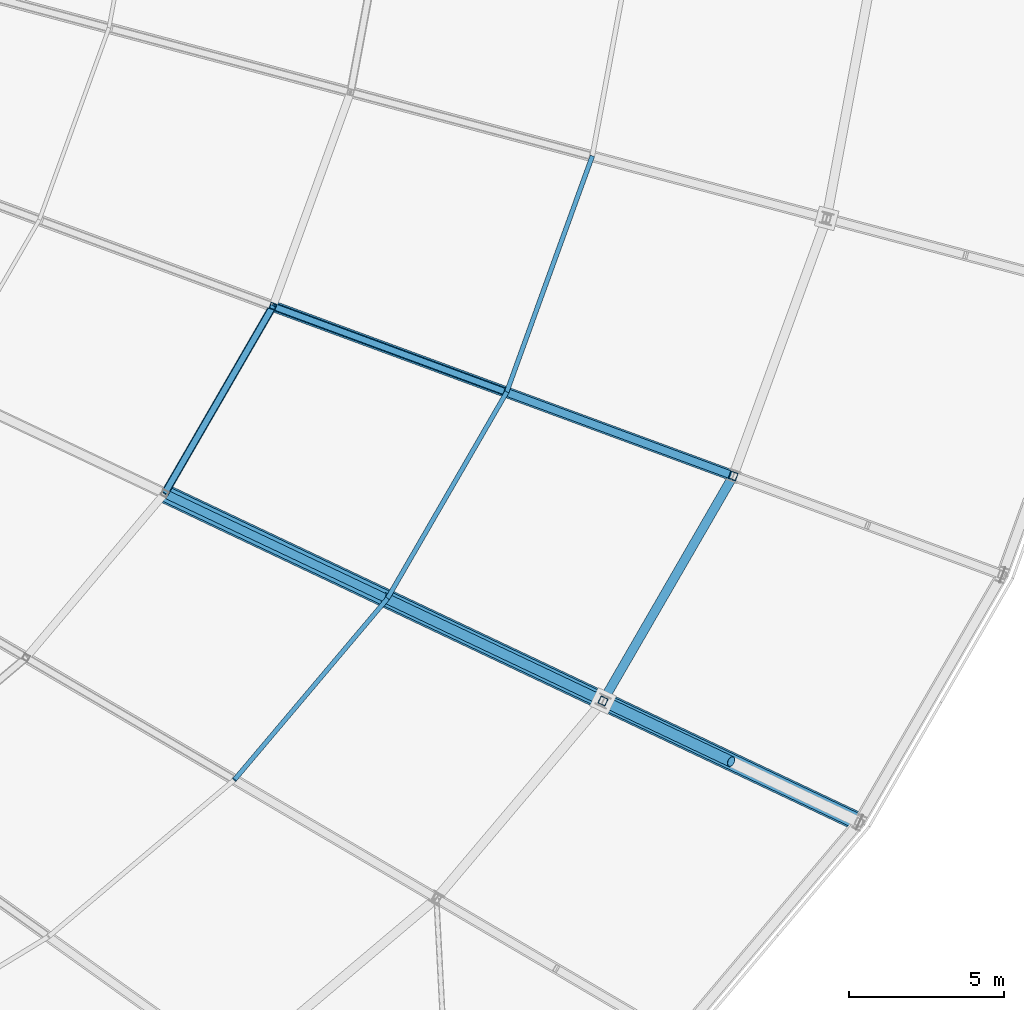
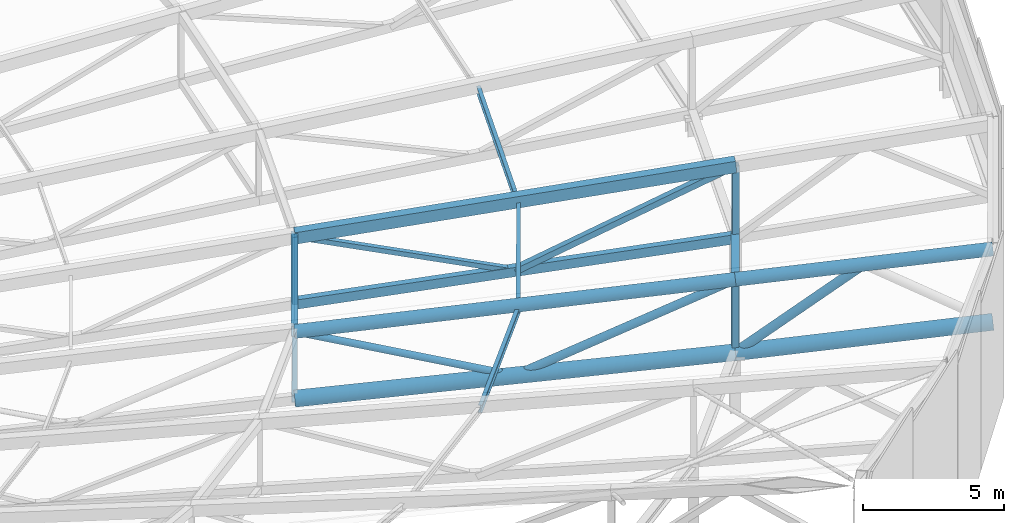
# One storey, part 66 of 143: 12 members, 8 beams.
"""IFC4 building model written with IfcOpenShell, lengths in metres."""

from ifc_helpers import new_model, si_unit, direction, frame, origin, origin_2d, place, context, subcontext, project, spatial, hollow_rectangle, hollow_circle, i_section, extrude, material, material_profile, profile_set, type_object, element, save


model = new_model("IFC4")

# Units and contexts
model_context = context("Model", 3, precision=1e-05, world=origin(), true_north=direction((0.0, 1.0)))
body_context = subcontext(model_context, "Body", "Model", "MODEL_VIEW")
ifc_project = project(units=[si_unit("LENGTHUNIT", "METRE"), si_unit("AREAUNIT", "SQUARE_METRE"), si_unit("VOLUMEUNIT", "CUBIC_METRE"), si_unit("PLANEANGLEUNIT", "RADIAN"), si_unit("MASSUNIT", "GRAM", prefix="KILO")], contexts=[model_context])

# Site, building, storey
site_placement = place(None, origin())
site = spatial("IfcSite", under=ifc_project, at=site_placement, CompositionType="ELEMENT")
building_placement = place(site_placement, origin())
building = spatial("IfcBuilding", under=site, at=building_placement, Name="Mphavela Belvedere Stadium", CompositionType="ELEMENT")
storey_placement = place(building_placement, frame((0.0, 0.0, 28.800048828125)))
storey = spatial("IfcBuildingStorey", under=building, at=storey_placement, Name="RF", CompositionType="ELEMENT", Elevation=28.800048828125)

# Beams
ifc_material_1 = material(Name="Steel S355", Category="steel")
ifc_material_profile_1 = material_profile(ifc_material_1, hollow_rectangle(XDim=0.25, YDim=0.39990234375, WallThickness=0.01611328125, at=origin_2d()), Name="RHS 400x250x16")
ifc_profile_set_1 = profile_set([ifc_material_profile_1], Name="Steel S355")
beam_type_1 = type_object("IfcBeamType", Name="BM-RING-MID", PredefinedType="BEAM", material=ifc_profile_set_1)
beam_1_placement = place(storey_placement, frame((184.83447265625, 53.945068359375, 4.30712890625), z_axis=(0.497680338118, 0.860704872165, -0.107244599316), x_axis=(-0.865697638818, 0.500567276343, 0.0)))
element("IfcBeam", 1, at=beam_1_placement, inside=storey, type_object=beam_type_1, Name="Intermediate roof ring beam RB-MID-45", PredefinedType="BEAM", context=body_context, shape_type="SweptSolid", body=[
    extrude(hollow_rectangle(XDim=0.25, YDim=0.39990234375, WallThickness=0.01611328125, at=origin_2d()), origin(), (0.0, 0.0, 1.0), 7.018310546875),
])
ifc_material_2 = material(Name="Steel S355", Category="steel")
ifc_material_profile_2 = material_profile(ifc_material_2, i_section(OverallWidth=0.300048828125, OverallDepth=0.39990234375, WebThickness=0.013427734375, FlangeThickness=0.02392578125, at=origin_2d()), Name="HEB 400")
ifc_profile_set_2 = profile_set([ifc_material_profile_2], Name="Steel S355")
beam_type_2 = type_object("IfcBeamType", Name="BM-STEEL-HEB400", PredefinedType="BEAM", material=ifc_profile_set_2)
beam_2_placement = place(storey_placement, frame((198.9755859375, 47.251708984375, 2.516357421875), z_axis=(0.497661073129, 0.860716730152, -0.107238830325), x_axis=(-0.865709023765, 0.500547586322, 0.0)))
element("IfcBeam", 2, at=beam_2_placement, inside=storey, type_object=beam_type_2, Name="Roof bottom-chord tie girder R3-45", PredefinedType="BEAM", context=body_context, shape_type="SweptSolid", body=[
    extrude(i_section(OverallWidth=0.300048828125, OverallDepth=0.39990234375, WebThickness=0.013427734375, FlangeThickness=0.02392578125, at=origin_2d()), origin(), (0.0, 0.0, 1.0), 8.439453125),
])
ifc_material_3 = material(Name="Steel S355", Category="steel")
ifc_material_profile_3 = material_profile(ifc_material_3, hollow_circle(Radius=0.304931640625, WallThickness=0.02490234375, at=origin_2d()), Name="CHS 610x25")
ifc_profile_set_3 = profile_set([ifc_material_profile_3], Name="Steel S355")
beam_type_3 = type_object("IfcBeamType", Name="BM-TRUSS-BC1", PredefinedType="BEAM", material=ifc_profile_set_3)
beam_3_placement = place(storey_placement, frame((207.242431640625, 43.33837890625, 3.31103515625), z_axis=(-0.900453046882, 0.426253267431, -0.086559010886), x_axis=(-0.427859140325, -0.903845427073, 0.0)))
element("IfcBeam", 3, at=beam_3_placement, inside=storey, type_object=beam_type_3, Name="Radial roof truss RT-45 bottom chord 1", PredefinedType="BEAM", context=body_context, shape_type="SweptSolid", body=[
    extrude(hollow_circle(Radius=0.304931640625, WallThickness=0.02490234375, at=origin_2d()), origin(), (0.0, 0.0, 1.0), 9.1806640625),
])
beam_4_placement = place(storey_placement, frame((198.9755859375, 47.251708984375, 2.516357421875), z_axis=(-0.901600208715, 0.426750998276, -0.070715267915), x_axis=(-0.427822032856, -0.903862991942, 0.0)))
element("IfcBeam", 4, at=beam_4_placement, inside=storey, type_object=beam_type_3, Name="Radial roof truss RT-45 bottom chord 2", PredefinedType="BEAM", context=body_context, shape_type="SweptSolid", body=[
    extrude(hollow_circle(Radius=0.304931640625, WallThickness=0.02490234375, at=origin_2d()), origin(), (0.0, 0.0, 1.0), 15.6845703125),
])
ifc_material_4 = material(Name="Steel S355", Category="steel")
ifc_material_profile_4 = material_profile(ifc_material_4, hollow_rectangle(XDim=0.25, YDim=0.39990234375, WallThickness=0.01611328125, at=origin_2d()), Name="RHS 400x250x16")
ifc_profile_set_4 = profile_set([ifc_material_profile_4], Name="Steel S355")
beam_type_4 = type_object("IfcBeamType", Name="BM-TRUSS-BC2", PredefinedType="BEAM", material=ifc_profile_set_4)
beam_5_placement = place(storey_placement, frame((203.175537109375, 54.515625, 1.611328125), z_axis=(-0.936635644943, 0.345066563527, -0.060355077321), x_axis=(-0.345696778918, -0.938346277792, 0.0)))
element("IfcBeam", 5, at=beam_5_placement, inside=storey, type_object=beam_type_4, Name="Radial roof truss RT-46 bottom chord 2", PredefinedType="BEAM", context=body_context, shape_type="SweptSolid", body=[
    extrude(hollow_rectangle(XDim=0.25, YDim=0.39990234375, WallThickness=0.01611328125, at=origin_2d()), origin(), (0.0, 0.0, 1.0), 15.8525390625),
])
ifc_material_5 = material(Name="Steel S355", Category="steel")
ifc_material_profile_5 = material_profile(ifc_material_5, hollow_circle(Radius=0.25390625, WallThickness=0.02490234375, at=origin_2d()), Name="CHS 508x25")
ifc_profile_set_5 = profile_set([ifc_material_profile_5], Name="Steel S355")
beam_type_5 = type_object("IfcBeamType", Name="BM-TRUSS-TC1", PredefinedType="BEAM", material=ifc_profile_set_5)
beam_6_placement = place(storey_placement, frame((207.242431640625, 43.33837890625, 6.4609375), z_axis=(-0.900453046882, 0.426253267431, -0.086559010886), x_axis=(-0.427859140325, -0.903845427073, 0.0)))
element("IfcBeam", 6, at=beam_6_placement, inside=storey, type_object=beam_type_5, Name="Radial roof truss RT-45 top chord 1", PredefinedType="BEAM", context=body_context, shape_type="SweptSolid", body=[
    extrude(hollow_circle(Radius=0.25390625, WallThickness=0.02490234375, at=origin_2d()), origin(), (0.0, 0.0, 1.0), 9.1806640625),
])
beam_7_placement = place(storey_placement, frame((198.9755859375, 47.251708984375, 5.666259765625), z_axis=(-0.900471557022, 0.426216777862, -0.086546133731), x_axis=(-0.427822032856, -0.903862991942, 0.0)))
element("IfcBeam", 7, at=beam_7_placement, inside=storey, type_object=beam_type_5, Name="Radial roof truss RT-45 top chord 2", PredefinedType="BEAM", context=body_context, shape_type="SweptSolid", body=[
    extrude(hollow_circle(Radius=0.25390625, WallThickness=0.02490234375, at=origin_2d()), origin(), (0.0, 0.0, 1.0), 15.7041015625),
])
ifc_material_6 = material(Name="Steel S355", Category="steel")
ifc_material_profile_6 = material_profile(ifc_material_6, hollow_rectangle(XDim=0.35009765625, YDim=0.5, WallThickness=0.02001953125, at=origin_2d()), Name="RHS 500x350x20")
ifc_profile_set_6 = profile_set([ifc_material_profile_6], Name="Steel S355")
beam_type_6 = type_object("IfcBeamType", Name="BM-TRUSS-TC2", PredefinedType="BEAM", material=ifc_profile_set_6)
beam_8_placement = place(storey_placement, frame((203.175537109375, 54.515625, 4.76123046875), z_axis=(-0.935629294796, 0.344695813397, -0.076043533233), x_axis=(-0.345696778918, -0.938346277792, 0.0)))
element("IfcBeam", 8, at=beam_8_placement, inside=storey, type_object=beam_type_6, Name="Radial roof truss RT-46 top chord 2", PredefinedType="BEAM", context=body_context, shape_type="SweptSolid", body=[
    extrude(hollow_rectangle(XDim=0.35009765625, YDim=0.5, WallThickness=0.02001953125, at=origin_2d()), origin(), (0.0, 0.0, 1.0), 15.86962890625),
])

# Members
ifc_material_7 = material(Name="Steel S355", Category="steel")
ifc_material_profile_7 = material_profile(ifc_material_7, hollow_circle(Radius=0.136474609375, WallThickness=0.012451171875, at=origin_2d()), Name="CHS 273x12.5")
ifc_profile_set_7 = profile_set([ifc_material_profile_7], Name="Steel S355")
member_type_1 = type_object("IfcMemberType", Name="MEM-DIAG-273", PredefinedType="BRACE", material=ifc_profile_set_7)
member_1_placement = place(storey_placement, frame((191.905029296875, 50.598388671875, 1.961669921875), z_axis=(-0.86578394162, 0.40979822077, 0.287199555511), x_axis=(-0.427822032856, -0.903862991942, 0.0)))
element("IfcMember", 9, at=member_1_placement, inside=storey, type_object=member_type_1, Name="Radial roof truss RT-45 web diagonal D4", PredefinedType="BRACE", context=body_context, shape_type="SweptSolid", body=[
    extrude(hollow_circle(Radius=0.136474609375, WallThickness=0.012451171875, at=origin_2d()), origin(), (0.0, 0.0, 1.0), 8.166748046875),
])
ifc_material_8 = material(Name="Steel S355", Category="steel")
ifc_material_profile_8 = material_profile(ifc_material_8, hollow_circle(Radius=0.161865234375, WallThickness=0.01611328125, at=origin_2d()), Name="CHS 323.9x16")
ifc_profile_set_8 = profile_set([ifc_material_profile_8], Name="Steel S355")
member_type_2 = type_object("IfcMemberType", Name="MEM-DIAG-324", PredefinedType="BRACE", material=ifc_profile_set_8)
member_2_placement = place(storey_placement, frame((198.9755859375, 47.251708984375, 5.666259765625), z_axis=(-0.816889573167, 0.386655235281, -0.428006021313), x_axis=(-0.427822032856, -0.903862991942, 0.0)))
element("IfcMember", 10, at=member_2_placement, inside=storey, type_object=member_type_2, Name="Radial roof truss RT-45 web diagonal D3", PredefinedType="BRACE", context=body_context, shape_type="SweptSolid", body=[
    extrude(hollow_circle(Radius=0.161865234375, WallThickness=0.01611328125, at=origin_2d()), origin(), (0.0, 0.0, 1.0), 8.655517578125),
])
ifc_material_9 = material(Name="Steel S355", Category="steel")
ifc_material_profile_9 = material_profile(ifc_material_9, hollow_circle(Radius=0.177734375, WallThickness=0.01611328125, at=origin_2d()), Name="CHS 355.6x16")
ifc_profile_set_9 = profile_set([ifc_material_profile_9], Name="Steel S355")
member_type_3 = type_object("IfcMemberType", Name="MEM-DIAG-355", PredefinedType="BRACE", material=ifc_profile_set_9)
member_3_placement = place(storey_placement, frame((203.10888671875, 45.295166015625, 6.063720703125), z_axis=(-0.714168011472, 0.338059211101, -0.612927419178), x_axis=(-0.427847656152, -0.903850863321, 0.0)))
element("IfcMember", 11, at=member_3_placement, inside=storey, type_object=member_type_3, Name="Radial roof truss RT-45 web diagonal D2", PredefinedType="BRACE", context=body_context, shape_type="SweptSolid", body=[
    extrude(hollow_circle(Radius=0.177734375, WallThickness=0.01611328125, at=origin_2d()), origin(), (0.0, 0.0, 1.0), 5.78759765625),
])
ifc_material_10 = material(Name="Steel S355", Category="steel")
ifc_material_profile_10 = material_profile(ifc_material_10, hollow_rectangle(XDim=0.199951171875, YDim=0.199951171875, WallThickness=0.010009765625, at=origin_2d()), Name="SHS 200x200x10")
ifc_profile_set_10 = profile_set([ifc_material_profile_10], Name="Steel S355")
member_type_4 = type_object("IfcMemberType", Name="MEM-POST-SHS200", PredefinedType="POST", material=ifc_profile_set_10)
member_4_placement = place(storey_placement, frame((188.327392578125, 59.98583984375, 0.654541015625), z_axis=(0.0, 0.0, 1.0), x_axis=(0.938372433776, -0.34562577382, 0.0)))
element("IfcMember", 12, at=member_4_placement, inside=storey, type_object=member_type_4, Name="Radial roof truss RT-46 post P3", PredefinedType="POST", context=body_context, shape_type="SweptSolid", body=[
    extrude(hollow_rectangle(XDim=0.199951171875, YDim=0.199951171875, WallThickness=0.010009765625, at=origin_2d()), origin(), (0.0, 0.0, 1.0), 2.89990234375),
])
member_5_placement = place(storey_placement, frame((195.75146484375, 57.250732421875, 1.133056640625), z_axis=(-0.897266150481, 0.330562421778, 0.292646442845), x_axis=(-0.345696778918, -0.938346277792, 0.0)))
element("IfcMember", 13, at=member_5_placement, inside=storey, type_object=member_type_4, Name="Radial roof truss RT-46 web diagonal D4", PredefinedType="POST", context=body_context, shape_type="SweptSolid", body=[
    extrude(hollow_rectangle(XDim=0.199951171875, YDim=0.199951171875, WallThickness=0.010009765625, at=origin_2d()), origin(), (0.0, 0.0, 1.0), 8.274169921875),
])
ifc_material_11 = material(Name="Steel S355", Category="steel")
ifc_material_profile_11 = material_profile(ifc_material_11, hollow_rectangle(XDim=0.25, YDim=0.25, WallThickness=0.012451171875, at=origin_2d()), Name="SHS 250x250x12.5")
ifc_profile_set_11 = profile_set([ifc_material_profile_11], Name="Steel S355")
member_type_5 = type_object("IfcMemberType", Name="MEM-POST-SHS250", PredefinedType="POST", material=ifc_profile_set_11)
for number, where, z_axis, x_axis, name in (
    (14, (198.9755859375, 47.251708984375, 2.516357421875), (0.0, 0.0, 1.0), (0.903858661687, -0.4278311813, 0.0), "Radial roof truss RT-45 post P2"),
    (15, (203.175537109375, 54.515625, 1.611328125), (0.0, 0.0, 1.0), (0.938372433776, -0.34562577382, 0.0), "Radial roof truss RT-46 post P2"),
):
    element("IfcMember", number, at=place(storey_placement, frame(where, z_axis=z_axis, x_axis=x_axis)), inside=storey, type_object=member_type_5, Name=name, PredefinedType="POST", context=body_context, shape_type="SweptSolid", body=[
        extrude(hollow_rectangle(XDim=0.25, YDim=0.25, WallThickness=0.012451171875, at=origin_2d()), origin(), (0.0, 0.0, 1.0), 3.14990234375),
    ])
member_6_placement = place(storey_placement, frame((203.175537109375, 54.515625, 4.76123046875), z_axis=(-0.852939960364, 0.314232180472, -0.416835172185), x_axis=(-0.345696778918, -0.938346277792, 0.0)))
element("IfcMember", 16, at=member_6_placement, inside=storey, type_object=member_type_5, Name="Radial roof truss RT-46 web diagonal D3", PredefinedType="POST", context=body_context, shape_type="SweptSolid", body=[
    extrude(hollow_rectangle(XDim=0.25, YDim=0.25, WallThickness=0.012451171875, at=origin_2d()), origin(), (0.0, 0.0, 1.0), 8.7041015625),
])
ifc_material_12 = material(Name="Steel S355", Category="steel")
ifc_material_profile_12 = material_profile(ifc_material_12, i_section(OverallWidth=0.14990234375, OverallDepth=0.300048828125, WebThickness=0.007080078125, FlangeThickness=0.0107421875, at=origin_2d()), Name="IPE 300")
ifc_profile_set_12 = profile_set([ifc_material_profile_12], Name="Steel S355")
member_type_6 = type_object("IfcMemberType", Name="MEM-PURLIN-IPE300", PredefinedType="PURLIN", material=ifc_profile_set_12)
member_7_placement = place(storey_placement, frame((187.084228515625, 44.708984375, 5.773681640625), z_axis=(0.640075923464, 0.757997993357, -0.125466546408), x_axis=(-0.764035515933, 0.645174186087, 0.0)))
element("IfcMember", 17, at=member_7_placement, inside=storey, type_object=member_type_6, Name="Saddle canopy steel purlin 44-2", PredefinedType="PURLIN", context=body_context, shape_type="SweptSolid", body=[
    extrude(i_section(OverallWidth=0.14990234375, OverallDepth=0.300048828125, WebThickness=0.007080078125, FlangeThickness=0.0107421875, at=origin_2d()), origin(), (0.0, 0.0, 1.0), 7.70166015625),
])
member_8_placement = place(storey_placement, frame((192.013916015625, 50.546875, 4.807373046875), z_axis=(0.497656529019, 0.860718368977, -0.107246764193), x_axis=(-0.865711417256, 0.500543446698, 0.0)))
element("IfcMember", 18, at=member_8_placement, inside=storey, type_object=member_type_6, Name="Saddle canopy steel purlin 45-2", PredefinedType="PURLIN", context=body_context, shape_type="SweptSolid", body=[
    extrude(i_section(OverallWidth=0.14990234375, OverallDepth=0.300048828125, WebThickness=0.007080078125, FlangeThickness=0.0107421875, at=origin_2d()), origin(), (0.0, 0.0, 1.0), 7.739990234375),
])
member_9_placement = place(storey_placement, frame((195.86572265625, 57.208740234375, 3.977294921875), z_axis=(0.339981739687, 0.937158433412, -0.078399536755), x_axis=(-0.940051894968, 0.341031427828, 0.0)))
element("IfcMember", 19, at=member_9_placement, inside=storey, type_object=member_type_6, Name="Saddle canopy steel purlin 46-2", PredefinedType="PURLIN", context=body_context, shape_type="SweptSolid", body=[
    extrude(i_section(OverallWidth=0.14990234375, OverallDepth=0.300048828125, WebThickness=0.007080078125, FlangeThickness=0.0107421875, at=origin_2d()), origin(), (0.0, 0.0, 1.0), 8.12451171875),
])
ifc_material_13 = material(Name="Steel S355", Category="steel")
ifc_material_profile_13 = material_profile(ifc_material_13, hollow_rectangle(XDim=0.199951171875, YDim=0.300048828125, WallThickness=0.011962890625, at=origin_2d()), Name="RHS 300x200x12")
ifc_profile_set_13 = profile_set([ifc_material_profile_13], Name="Steel S355")
member_type_7 = type_object("IfcMemberType", Name="MEM-SEC-CHORD", PredefinedType="CHORD", material=ifc_profile_set_13)
member_10_placement = place(storey_placement, frame((184.83447265625, 53.945068359375, 1.4072265625), z_axis=(0.497680338118, 0.860704872165, -0.107244599316), x_axis=(-0.865697638818, 0.500567276343, 0.0)))
element("IfcMember", 20, at=member_10_placement, inside=storey, type_object=member_type_7, Name="Secondary bottom roof tie chord 45", PredefinedType="CHORD", context=body_context, shape_type="SweptSolid", body=[
    extrude(hollow_rectangle(XDim=0.199951171875, YDim=0.300048828125, WallThickness=0.011962890625, at=origin_2d()), origin(), (0.0, 0.0, 1.0), 7.018310546875),
])

save(model, "model.ifc")
